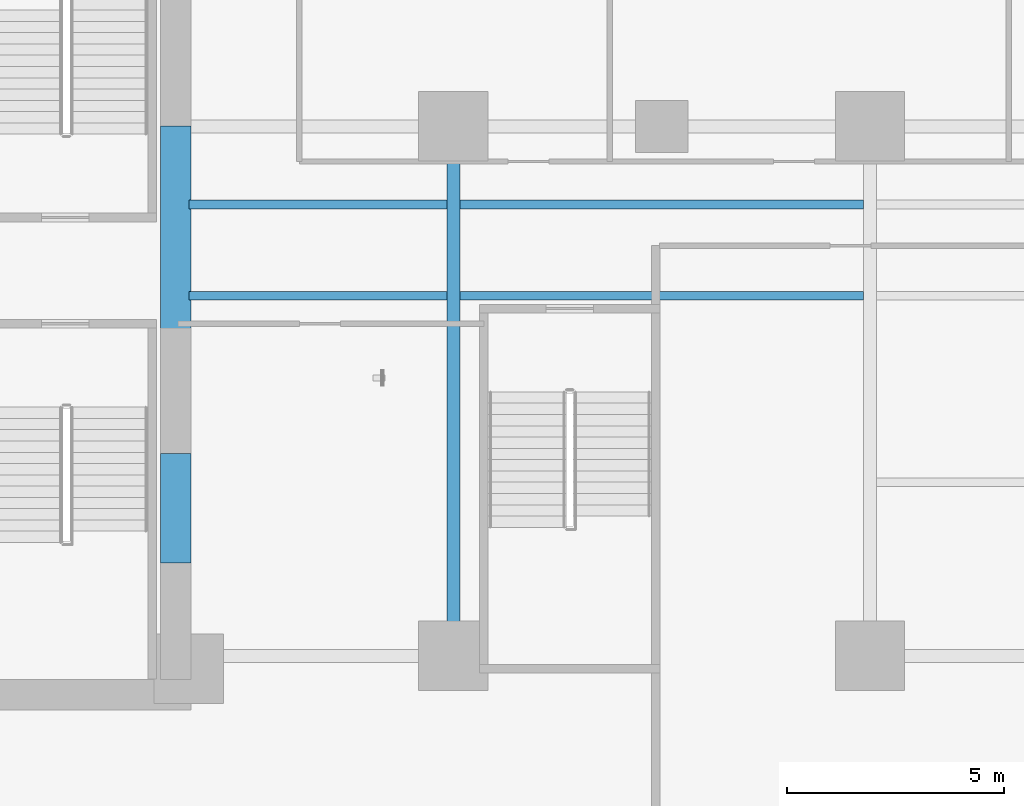
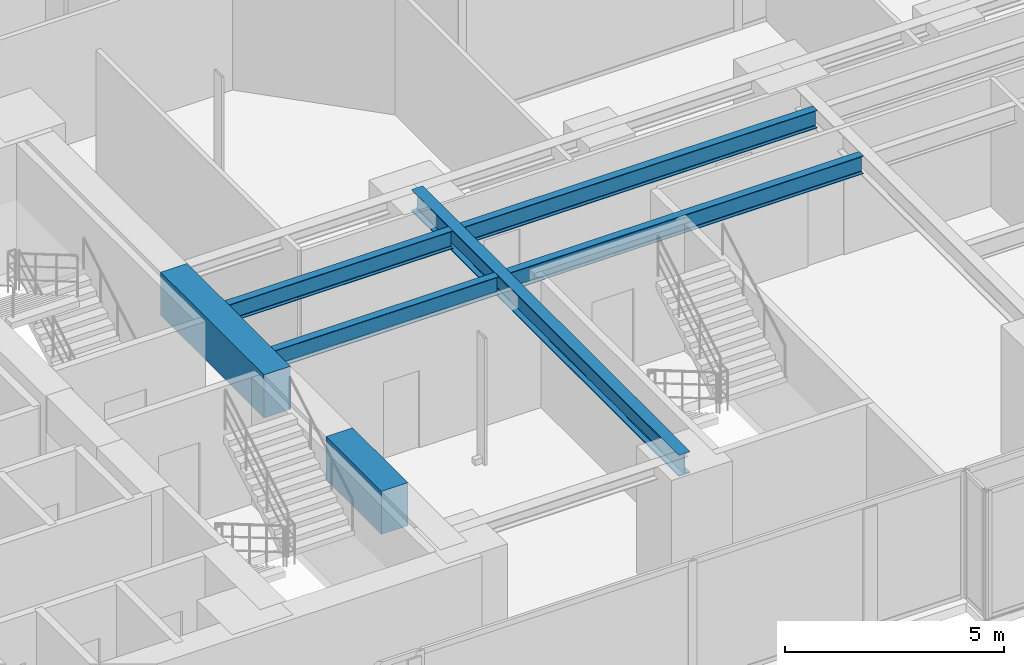
# One storey, part 5 of 30: 7 beams.
"""IFC4 building model written with IfcOpenShell, lengths in metres."""

import ifcopenshell
import ifcopenshell.guid

model = None  # the IFC model being written
_history = None  # IfcOwnerHistory: only IFC2X3 demands one
_inside = {}  # id of a spatial element -> (the spatial element, [elements in it])
_under = {}  # id of a project, library or spatial element -> (it, [spatial elements below it])
_declared = {}  # id of a project -> (the project, [libraries it declares])
_typed = {}  # id of a type object -> (the type object, [elements of that type])
_made_of = {}  # id of a material, layer set ... -> (it, [elements and type objects made of it])


def new_model(schema):
    """Start an empty IFC model of exactly this schema.

    Asked for "IFC4X3", IfcOpenShell would pick the latest addendum, in which some entities
    have other attributes; the version numbers below select the first issue.
    IFC2X3 requires an IfcOwnerHistory on every rooted entity: one is made here for all.
    """
    global model, _history
    if schema == "IFC4X3":
        model = ifcopenshell.file(schema_version=(4, 3, 0, 0))
    else:
        model = ifcopenshell.file(schema=schema)
    _inside.clear()
    _under.clear()
    _declared.clear()
    _typed.clear()
    _made_of.clear()
    _history = None
    if model.schema == "IFC2X3":
        org = make("IfcOrganization", Name="unknown")
        user = make(
            "IfcPersonAndOrganization",
            ThePerson=make("IfcPerson", FamilyName="unknown"),
            TheOrganization=org,
        )
        app = make(
            "IfcApplication",
            ApplicationDeveloper=org,
            Version="unknown",
            ApplicationFullName="unknown",
            ApplicationIdentifier="unknown",
        )
        _history = make(
            "IfcOwnerHistory",
            OwningUser=user,
            OwningApplication=app,
            ChangeAction="ADDED",
            CreationDate=0,
        )
    return model


def make(cls, **values):
    """One entity of the class cls with the attributes given. An attribute that is None is left unset."""
    return model.create_entity(
        cls, **{name: value for name, value in values.items() if value is not None}
    )


def rooted(cls, **values):
    """An entity with a GlobalId (a new one), such as an element, a storey or a relation."""
    return make(cls, GlobalId=ifcopenshell.guid.new(), OwnerHistory=_history, **values)


def si_unit(unit_type, name, prefix=None):
    """IfcSIUnit, for example si_unit("LENGTHUNIT", "METRE", prefix="MILLI")."""
    return make("IfcSIUnit", UnitType=unit_type, Prefix=prefix, Name=name)


def assignment(units):
    """IfcUnitAssignment: the units of a project."""
    return None if units is None else make("IfcUnitAssignment", Units=units)


def point(xyz):
    """IfcCartesianPoint."""
    return None if xyz is None else make("IfcCartesianPoint", Coordinates=xyz)


def direction(xyz):
    """IfcDirection."""
    return None if xyz is None else make("IfcDirection", DirectionRatios=xyz)


def frame(location, z_axis=None, x_axis=None):
    """IfcAxis2Placement3D, a coordinate frame: its origin and axes. An axis left out is left unset."""
    return make(
        "IfcAxis2Placement3D",
        Location=point(location),
        Axis=direction(z_axis),
        RefDirection=direction(x_axis),
    )


def frame_2d(location, x_axis=None):
    """IfcAxis2Placement2D, a coordinate frame in the plane: its origin and x axis."""
    return make(
        "IfcAxis2Placement2D", Location=point(location), RefDirection=direction(x_axis)
    )


def origin():
    """The frame at (0, 0, 0) with its axes left unset."""
    return frame((0.0, 0.0, 0.0))


def origin_2d():
    """The frame at (0, 0) in the plane with its x axis left unset."""
    return frame_2d((0.0, 0.0))


def place(relative_to, where):
    """IfcLocalPlacement: puts the frame where relative to a parent placement (None: the world)."""
    return make(
        "IfcLocalPlacement", PlacementRelTo=relative_to, RelativePlacement=where
    )


def context(
    kind, dimensions, precision=None, world=None, true_north=None, identifier=None
):
    """IfcGeometricRepresentationContext, for example the 3D "Model" context."""
    return make(
        "IfcGeometricRepresentationContext",
        ContextIdentifier=identifier,
        ContextType=kind,
        CoordinateSpaceDimension=dimensions,
        Precision=precision,
        WorldCoordinateSystem=world,
        TrueNorth=true_north,
    )


def subcontext(parent, identifier, kind, view, scale=None):
    """IfcGeometricRepresentationSubContext, for example "Body" below "Model"."""
    return make(
        "IfcGeometricRepresentationSubContext",
        ContextIdentifier=identifier,
        ContextType=kind,
        ParentContext=parent,
        TargetScale=scale,
        TargetView=view,
    )


def project(units=None, contexts=None):
    """IfcProject with its units and contexts."""
    return rooted(
        "IfcProject",
        Name="project",
        RepresentationContexts=contexts,
        UnitsInContext=assignment(units),
    )


def spatial(cls, under=None, at=None, **own):
    """A site, building, storey or space (cls), placed at a placement, below another one or the project."""
    s = rooted(cls, ObjectPlacement=at, **own)
    if under is not None:
        _under.setdefault(under.id(), (under, []))[1].append(s)
    return s


def profile(cls, at=None, kind="AREA", **sizes):
    """A parametric profile (cls). Its sizes go by their IFC names, for example OverallWidth=200.0."""
    return make(cls, ProfileType=kind, Position=at, **sizes)


def rectangle(**sizes):
    """IfcRectangleProfileDef."""
    return profile("IfcRectangleProfileDef", **sizes)


def i_section(**sizes):
    """IfcIShapeProfileDef."""
    return profile("IfcIShapeProfileDef", **sizes)


def extrude(swept, where, along, depth):
    """IfcExtrudedAreaSolid: the profile swept, set in the frame where, extruded along a direction by depth."""
    return make(
        "IfcExtrudedAreaSolid",
        SweptArea=swept,
        Position=where,
        ExtrudedDirection=direction(along),
        Depth=depth,
    )


def shape(context_of_items, identifier, shape_type, items):
    """IfcShapeRepresentation: the items that make up one representation, for example the "Body"."""
    return make(
        "IfcShapeRepresentation",
        ContextOfItems=context_of_items,
        RepresentationIdentifier=identifier,
        RepresentationType=shape_type,
        Items=items,
    )


def material(Name=None, Category=None):
    """IfcMaterial."""
    return make("IfcMaterial", Name=Name, Category=Category)


def material_profile(
    of_material, cross_section, Name=None, Category=None, Priority=None
):
    """IfcMaterialProfile: a cross section and its material."""
    return make(
        "IfcMaterialProfile",
        Name=Name,
        Material=of_material,
        Profile=cross_section,
        Priority=Priority,
        Category=Category,
    )


def profile_set(profiles, Name=None, composite=None):
    """IfcMaterialProfileSet."""
    return make(
        "IfcMaterialProfileSet",
        Name=Name,
        MaterialProfiles=profiles,
        CompositeProfile=composite,
    )


def made_of(thing, what):
    """Note that an element or type object is made of a material, layer set ...; save() writes the relation."""
    if what is not None:
        _made_of.setdefault(what.id(), (what, []))[1].append(thing)
    return thing


def type_object(cls, material=None, **own):
    """A type object (cls), such as IfcWallType, which elements share."""
    return made_of(rooted(cls, **own), material)


def element(
    cls,
    number,
    at=None,
    inside=None,
    cuts=None,
    type_object=None,
    material=None,
    context=None,
    identifier="Body",
    shape_type=None,
    held_by="IfcProductDefinitionShape",
    body=None,
    shapes=None,
    **own,
):
    """One element of the class cls, such as IfcWall. Its Tag is "e" and its number.

    at: its placement. inside: the storey or other place that contains it. cuts: it is an
    opening in that element (IfcRelVoidsElement). A single representation is given by context,
    identifier, shape_type and body (its items); several are given by shapes. held_by: the class
    of the entity that holds the representations. save() writes the other relations.
    """
    e = rooted(cls, Tag="e%d" % number, ObjectPlacement=at, **own)
    if body is not None:
        shapes = [shape(context, identifier, shape_type, body)]
    if shapes is not None:
        e.Representation = make(held_by, Representations=shapes)
    if inside is not None:
        _inside.setdefault(inside.id(), (inside, []))[1].append(e)
    if cuts is not None:
        rooted(
            "IfcRelVoidsElement", RelatingBuildingElement=cuts, RelatedOpeningElement=e
        )
    if type_object is not None:
        _typed.setdefault(type_object.id(), (type_object, []))[1].append(e)
    return made_of(e, material)


def aggregate(whole, parts):
    """IfcRelAggregates: a whole, such as a stair, and the parts it consists of."""
    return rooted("IfcRelAggregates", RelatingObject=whole, RelatedObjects=parts)


def save(model, path):
    """Write the relations noted so far, then the file.

    IfcRelAggregates (storeys below a building ...), IfcRelContainedInSpatialStructure (elements
    in a storey), IfcRelDefinesByType, IfcRelAssociatesMaterial and IfcRelDeclares: one each for
    every whole, place, type object, material and project.
    """
    for whole, parts in _under.values():
        aggregate(whole, parts)
    for where, things in _inside.values():
        rooted(
            "IfcRelContainedInSpatialStructure",
            RelatedElements=things,
            RelatingStructure=where,
        )
    for kind, things in _typed.values():
        rooted("IfcRelDefinesByType", RelatedObjects=things, RelatingType=kind)
    for what, things in _made_of.values():
        rooted("IfcRelAssociatesMaterial", RelatedObjects=things, RelatingMaterial=what)
    for by, libraries in _declared.values():
        rooted("IfcRelDeclares", RelatingContext=by, RelatedDefinitions=libraries)
    model.write(path)


model = new_model("IFC4")

# Units and contexts
model_context = context("Model", 3, precision=1e-05, world=origin(), true_north=direction((0.0, 1.0)))
body_context = subcontext(model_context, "Body", "Model", "MODEL_VIEW")
ifc_project = project(units=[si_unit("LENGTHUNIT", "METRE"), si_unit("AREAUNIT", "SQUARE_METRE"), si_unit("VOLUMEUNIT", "CUBIC_METRE"), si_unit("PLANEANGLEUNIT", "RADIAN"), si_unit("MASSUNIT", "GRAM", prefix="KILO")], contexts=[model_context])

# Site, building, storey
site_placement = place(None, origin())
site = spatial("IfcSite", under=ifc_project, at=site_placement, CompositionType="ELEMENT")
building_placement = place(site_placement, origin())
building = spatial("IfcBuilding", under=site, at=building_placement, Name="Kolvaren Waterfront Exchange", CompositionType="ELEMENT")
storey_placement = place(building_placement, frame((0.0, 0.0, 52.39990234375)))
storey = spatial("IfcBuildingStorey", under=building, at=storey_placement, Name="L13", CompositionType="ELEMENT", Elevation=52.39990234375)

# Beams
ifc_material_1 = material(Name="Steel S355", Category="steel")
ifc_material_profile_1 = material_profile(ifc_material_1, i_section(OverallWidth=0.300048828125, OverallDepth=0.60009765625, WebThickness=0.015380859375, FlangeThickness=0.030029296875, FilletRadius=0.027099609375, at=origin_2d()), Name="HEB600")
ifc_profile_set_1 = profile_set([ifc_material_profile_1], Name="Steel S355")
beam_type_1 = type_object("IfcBeamType", Name="STR-BM-HEB600", PredefinedType="BEAM", material=ifc_profile_set_1)
beam_1_placement = place(storey_placement, frame((27.199951171875, 5.199951171875, 3.239990234375), z_axis=(0.0, 1.0, 0.0), x_axis=(-1.0, 0.0, 0.0)))
element("IfcBeam", 1, at=beam_1_placement, inside=storey, type_object=beam_type_1, Name="L13 east-arm transverse girder X27", PredefinedType="BEAM", context=body_context, shape_type="SweptSolid", body=[
    extrude(i_section(OverallWidth=0.300048828125, OverallDepth=0.60009765625, WebThickness=0.015380859375, FlangeThickness=0.030029296875, FilletRadius=0.027099609375, at=origin_2d()), origin(), (0.0, 0.0, 1.0), 12.199951171875),
])
ifc_material_profile_2 = material_profile(ifc_material_1, i_section(OverallWidth=0.199951171875, OverallDepth=0.5, WebThickness=0.01025390625, FlangeThickness=0.01611328125, FilletRadius=0.02099609375, at=origin_2d()), Name="IPE500")
ifc_profile_set_2 = profile_set([ifc_material_profile_2], Name="Steel S355")
beam_type_2 = type_object("IfcBeamType", Name="STR-BM-IPE500", PredefinedType="JOIST", material=ifc_profile_set_2)
for number, where, z_axis, x_axis, name in (
    (2, (21.10009765625, 13.5, 3.2900390625), (1.0, 0.0, 0.0), (0.0, 1.0, 0.0), "L13 east-arm composite joist 1A"),
    (3, (21.10009765625, 15.60009765625, 3.2900390625), (1.0, 0.0, 0.0), (0.0, 1.0, 0.0), "L13 east-arm composite joist 1C"),
):
    element("IfcBeam", number, at=place(storey_placement, frame(where, z_axis=z_axis, x_axis=x_axis)), inside=storey, type_object=beam_type_2, Name=name, PredefinedType="JOIST", context=body_context, shape_type="SweptSolid", body=[
        extrude(i_section(OverallWidth=0.199951171875, OverallDepth=0.5, WebThickness=0.01025390625, FlangeThickness=0.01611328125, FilletRadius=0.02099609375, at=origin_2d()), origin(), (0.0, 0.0, 1.0), 5.947998046875),
    ])
for number, where, z_axis, x_axis, name in (
    (4, (27.35205078125, 13.5, 3.2900390625), (1.0, 0.0, 0.0), (0.0, 1.0, 0.0), "L13 east-arm composite joist 2A"),
    (5, (27.35205078125, 15.60009765625, 3.2900390625), (1.0, 0.0, 0.0), (0.0, 1.0, 0.0), "L13 east-arm composite joist 2C"),
):
    element("IfcBeam", number, at=place(storey_placement, frame(where, z_axis=z_axis, x_axis=x_axis)), inside=storey, type_object=beam_type_2, Name=name, PredefinedType="JOIST", context=body_context, shape_type="SweptSolid", body=[
        extrude(i_section(OverallWidth=0.199951171875, OverallDepth=0.5, WebThickness=0.01025390625, FlangeThickness=0.01611328125, FilletRadius=0.02099609375, at=origin_2d()), origin(), (0.0, 0.0, 1.0), 9.2958984375),
    ])
ifc_material_2 = material(Name="Concrete C70/85", Category="concrete")
ifc_material_profile_3 = material_profile(ifc_material_2, rectangle(XDim=0.699951171875, YDim=1.199951171875, at=origin_2d()), Name="RC-CB-1200x700")
ifc_profile_set_3 = profile_set([ifc_material_profile_3], Name="Concrete C70/85")
beam_type_3 = type_object("IfcBeamType", Name="STR-CB-1200", PredefinedType="SPANDREL", material=ifc_profile_set_3)
beam_2_placement = place(storey_placement, frame((20.800048828125, 7.340087890625, 2.940185546875), z_axis=(0.0, 1.0, 0.0), x_axis=(-1.0, 0.0, 0.0)))
element("IfcBeam", 6, at=beam_2_placement, inside=storey, type_object=beam_type_3, Name="L13 core coupling beam 1", PredefinedType="SPANDREL", context=body_context, shape_type="SweptSolid", body=[
    extrude(rectangle(XDim=0.699951171875, YDim=1.199951171875, at=origin_2d()), origin(), (0.0, 0.0, 1.0), 2.52001953125),
])
beam_3_placement = place(storey_placement, frame((20.800048828125, 12.68994140625, 2.940185546875), z_axis=(0.0, 1.0, 0.0), x_axis=(-1.0, 0.0, 0.0)))
element("IfcBeam", 7, at=beam_3_placement, inside=storey, type_object=beam_type_3, Name="L13 core coupling beam 2", PredefinedType="SPANDREL", context=body_context, shape_type="SweptSolid", body=[
    extrude(rectangle(XDim=0.699951171875, YDim=1.199951171875, at=origin_2d()), origin(), (0.0, 0.0, 1.0), 4.719970703125),
])

save(model, "model.ifc")
